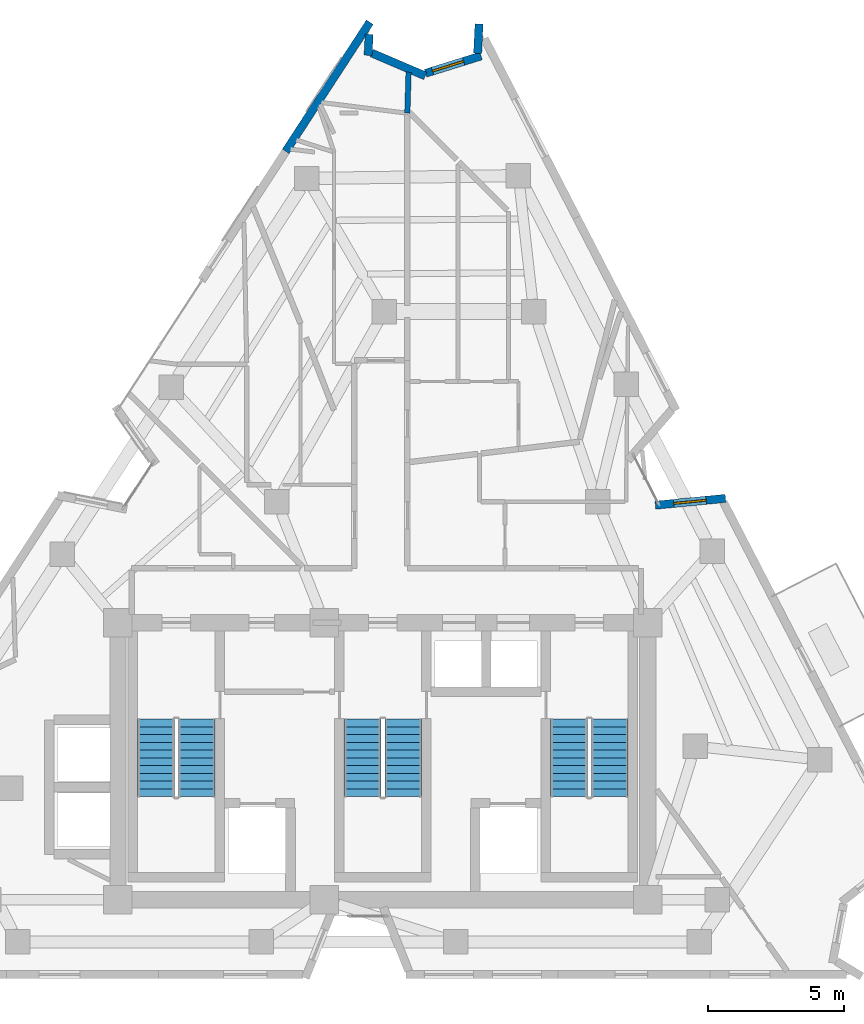
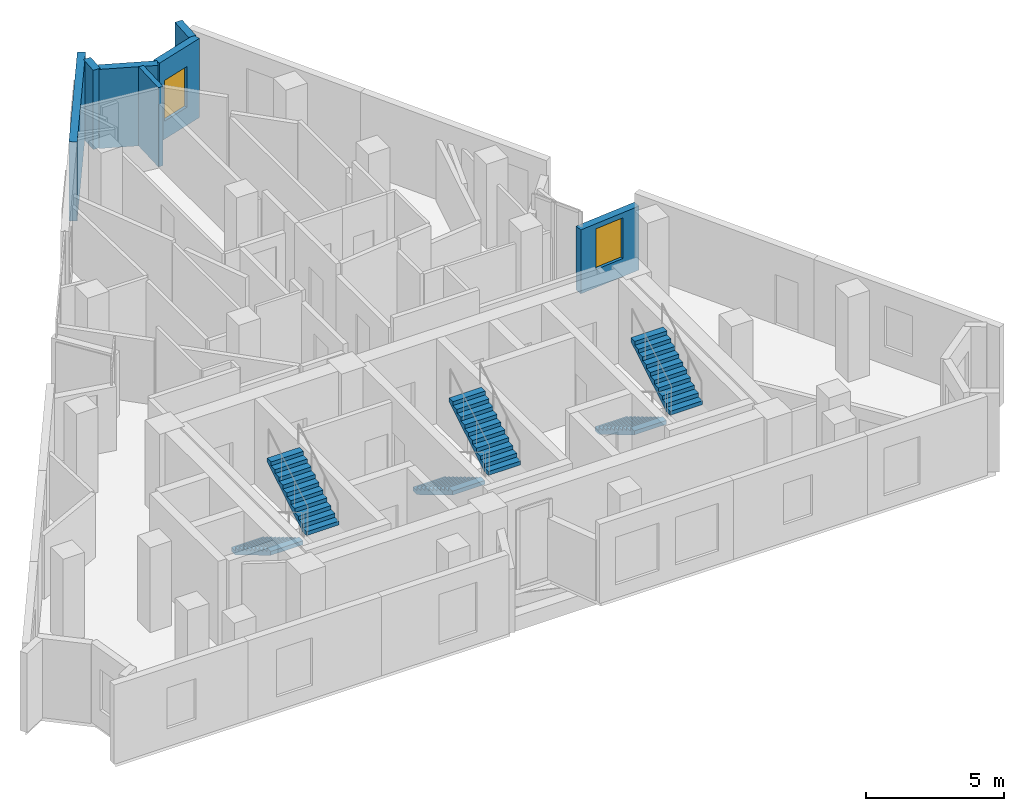
# One storey, part 8 of 10: 7 walls, 6 stair flights, 2 windows, 2 openings, 3 elements without a shape of their own.
"""IFC4 building model written with IfcOpenShell, lengths in metres."""

import ifcopenshell
import ifcopenshell.guid

model = None  # the IFC model being written
_history = None  # IfcOwnerHistory: only IFC2X3 demands one
_inside = {}  # id of a spatial element -> (the spatial element, [elements in it])
_under = {}  # id of a project, library or spatial element -> (it, [spatial elements below it])
_declared = {}  # id of a project -> (the project, [libraries it declares])
_typed = {}  # id of a type object -> (the type object, [elements of that type])
_made_of = {}  # id of a material, layer set ... -> (it, [elements and type objects made of it])


def new_model(schema):
    """Start an empty IFC model of exactly this schema.

    Asked for "IFC4X3", IfcOpenShell would pick the latest addendum, in which some entities
    have other attributes; the version numbers below select the first issue.
    IFC2X3 requires an IfcOwnerHistory on every rooted entity: one is made here for all.
    """
    global model, _history
    if schema == "IFC4X3":
        model = ifcopenshell.file(schema_version=(4, 3, 0, 0))
    else:
        model = ifcopenshell.file(schema=schema)
    _inside.clear()
    _under.clear()
    _declared.clear()
    _typed.clear()
    _made_of.clear()
    _history = None
    if model.schema == "IFC2X3":
        org = make("IfcOrganization", Name="unknown")
        user = make(
            "IfcPersonAndOrganization",
            ThePerson=make("IfcPerson", FamilyName="unknown"),
            TheOrganization=org,
        )
        app = make(
            "IfcApplication",
            ApplicationDeveloper=org,
            Version="unknown",
            ApplicationFullName="unknown",
            ApplicationIdentifier="unknown",
        )
        _history = make(
            "IfcOwnerHistory",
            OwningUser=user,
            OwningApplication=app,
            ChangeAction="ADDED",
            CreationDate=0,
        )
    return model


def make(cls, **values):
    """One entity of the class cls with the attributes given. An attribute that is None is left unset."""
    return model.create_entity(
        cls, **{name: value for name, value in values.items() if value is not None}
    )


def rooted(cls, **values):
    """An entity with a GlobalId (a new one), such as an element, a storey or a relation."""
    return make(cls, GlobalId=ifcopenshell.guid.new(), OwnerHistory=_history, **values)


def si_unit(unit_type, name, prefix=None):
    """IfcSIUnit, for example si_unit("LENGTHUNIT", "METRE", prefix="MILLI")."""
    return make("IfcSIUnit", UnitType=unit_type, Prefix=prefix, Name=name)


def assignment(units):
    """IfcUnitAssignment: the units of a project."""
    return None if units is None else make("IfcUnitAssignment", Units=units)


def point(xyz):
    """IfcCartesianPoint."""
    return None if xyz is None else make("IfcCartesianPoint", Coordinates=xyz)


def direction(xyz):
    """IfcDirection."""
    return None if xyz is None else make("IfcDirection", DirectionRatios=xyz)


def frame(location, z_axis=None, x_axis=None):
    """IfcAxis2Placement3D, a coordinate frame: its origin and axes. An axis left out is left unset."""
    return make(
        "IfcAxis2Placement3D",
        Location=point(location),
        Axis=direction(z_axis),
        RefDirection=direction(x_axis),
    )


def frame_2d(location, x_axis=None):
    """IfcAxis2Placement2D, a coordinate frame in the plane: its origin and x axis."""
    return make(
        "IfcAxis2Placement2D", Location=point(location), RefDirection=direction(x_axis)
    )


def origin():
    """The frame at (0, 0, 0) with its axes left unset."""
    return frame((0.0, 0.0, 0.0))


def place(relative_to, where):
    """IfcLocalPlacement: puts the frame where relative to a parent placement (None: the world)."""
    return make(
        "IfcLocalPlacement", PlacementRelTo=relative_to, RelativePlacement=where
    )


def context(
    kind, dimensions, precision=None, world=None, true_north=None, identifier=None
):
    """IfcGeometricRepresentationContext, for example the 3D "Model" context."""
    return make(
        "IfcGeometricRepresentationContext",
        ContextIdentifier=identifier,
        ContextType=kind,
        CoordinateSpaceDimension=dimensions,
        Precision=precision,
        WorldCoordinateSystem=world,
        TrueNorth=true_north,
    )


def subcontext(parent, identifier, kind, view, scale=None):
    """IfcGeometricRepresentationSubContext, for example "Body" below "Model"."""
    return make(
        "IfcGeometricRepresentationSubContext",
        ContextIdentifier=identifier,
        ContextType=kind,
        ParentContext=parent,
        TargetScale=scale,
        TargetView=view,
    )


def project(units=None, contexts=None):
    """IfcProject with its units and contexts."""
    return rooted(
        "IfcProject",
        Name="project",
        RepresentationContexts=contexts,
        UnitsInContext=assignment(units),
    )


def spatial(cls, under=None, at=None, **own):
    """A site, building, storey or space (cls), placed at a placement, below another one or the project."""
    s = rooted(cls, ObjectPlacement=at, **own)
    if under is not None:
        _under.setdefault(under.id(), (under, []))[1].append(s)
    return s


def polyline(points):
    """IfcPolyline through the points."""
    return make("IfcPolyline", Points=[point(p) for p in points])


def profile(cls, at=None, kind="AREA", **sizes):
    """A parametric profile (cls). Its sizes go by their IFC names, for example OverallWidth=200.0."""
    return make(cls, ProfileType=kind, Position=at, **sizes)


def rectangle(**sizes):
    """IfcRectangleProfileDef."""
    return profile("IfcRectangleProfileDef", **sizes)


def outline(outer, holes=None, kind="AREA"):
    """IfcArbitraryClosedProfileDef: a profile drawn as a closed curve; with holes, ...WithVoids."""
    if holes is None:
        return make("IfcArbitraryClosedProfileDef", ProfileType=kind, OuterCurve=outer)
    return make(
        "IfcArbitraryProfileDefWithVoids",
        ProfileType=kind,
        OuterCurve=outer,
        InnerCurves=holes,
    )


def extrude(swept, where, along, depth):
    """IfcExtrudedAreaSolid: the profile swept, set in the frame where, extruded along a direction by depth."""
    return make(
        "IfcExtrudedAreaSolid",
        SweptArea=swept,
        Position=where,
        ExtrudedDirection=direction(along),
        Depth=depth,
    )


def shape(context_of_items, identifier, shape_type, items):
    """IfcShapeRepresentation: the items that make up one representation, for example the "Body"."""
    return make(
        "IfcShapeRepresentation",
        ContextOfItems=context_of_items,
        RepresentationIdentifier=identifier,
        RepresentationType=shape_type,
        Items=items,
    )


def material(Name=None, Category=None):
    """IfcMaterial."""
    return make("IfcMaterial", Name=Name, Category=Category)


def layer(
    of_material, thickness, ventilated=None, Name=None, Category=None, Priority=None
):
    """IfcMaterialLayer: one layer of a wall or slab, of a material (None: an air gap)."""
    return make(
        "IfcMaterialLayer",
        Material=of_material,
        LayerThickness=thickness,
        IsVentilated=ventilated,
        Name=Name,
        Category=Category,
        Priority=Priority,
    )


def layer_set(layers, Name=None):
    """IfcMaterialLayerSet."""
    return make("IfcMaterialLayerSet", MaterialLayers=layers, LayerSetName=Name)


def made_of(thing, what):
    """Note that an element or type object is made of a material, layer set ...; save() writes the relation."""
    if what is not None:
        _made_of.setdefault(what.id(), (what, []))[1].append(thing)
    return thing


def type_object(cls, material=None, **own):
    """A type object (cls), such as IfcWallType, which elements share."""
    return made_of(rooted(cls, **own), material)


def element(
    cls,
    number,
    at=None,
    inside=None,
    cuts=None,
    type_object=None,
    material=None,
    context=None,
    identifier="Body",
    shape_type=None,
    held_by="IfcProductDefinitionShape",
    body=None,
    shapes=None,
    **own,
):
    """One element of the class cls, such as IfcWall. Its Tag is "e" and its number.

    at: its placement. inside: the storey or other place that contains it. cuts: it is an
    opening in that element (IfcRelVoidsElement). A single representation is given by context,
    identifier, shape_type and body (its items); several are given by shapes. held_by: the class
    of the entity that holds the representations. save() writes the other relations.
    """
    e = rooted(cls, Tag="e%d" % number, ObjectPlacement=at, **own)
    if body is not None:
        shapes = [shape(context, identifier, shape_type, body)]
    if shapes is not None:
        e.Representation = make(held_by, Representations=shapes)
    if inside is not None:
        _inside.setdefault(inside.id(), (inside, []))[1].append(e)
    if cuts is not None:
        rooted(
            "IfcRelVoidsElement", RelatingBuildingElement=cuts, RelatedOpeningElement=e
        )
    if type_object is not None:
        _typed.setdefault(type_object.id(), (type_object, []))[1].append(e)
    return made_of(e, material)


def fill(opening, filler):
    """IfcRelFillsElement: the door or window that sits in an opening."""
    return rooted(
        "IfcRelFillsElement",
        RelatingOpeningElement=opening,
        RelatedBuildingElement=filler,
    )


def aggregate(whole, parts):
    """IfcRelAggregates: a whole, such as a stair, and the parts it consists of."""
    return rooted("IfcRelAggregates", RelatingObject=whole, RelatedObjects=parts)


def save(model, path):
    """Write the relations noted so far, then the file.

    IfcRelAggregates (storeys below a building ...), IfcRelContainedInSpatialStructure (elements
    in a storey), IfcRelDefinesByType, IfcRelAssociatesMaterial and IfcRelDeclares: one each for
    every whole, place, type object, material and project.
    """
    for whole, parts in _under.values():
        aggregate(whole, parts)
    for where, things in _inside.values():
        rooted(
            "IfcRelContainedInSpatialStructure",
            RelatedElements=things,
            RelatingStructure=where,
        )
    for kind, things in _typed.values():
        rooted("IfcRelDefinesByType", RelatedObjects=things, RelatingType=kind)
    for what, things in _made_of.values():
        rooted("IfcRelAssociatesMaterial", RelatedObjects=things, RelatingMaterial=what)
    for by, libraries in _declared.values():
        rooted("IfcRelDeclares", RelatingContext=by, RelatedDefinitions=libraries)
    model.write(path)


model = new_model("IFC4")

# Units and contexts
model_context = context("Model", 3, precision=1e-05, world=origin(), true_north=direction((0.0, 1.0)))
body_context = subcontext(model_context, "Body", "Model", "MODEL_VIEW")
ifc_project = project(units=[si_unit("LENGTHUNIT", "METRE"), si_unit("AREAUNIT", "SQUARE_METRE"), si_unit("VOLUMEUNIT", "CUBIC_METRE"), si_unit("PLANEANGLEUNIT", "RADIAN"), si_unit("MASSUNIT", "GRAM", prefix="KILO")], contexts=[model_context])

# Site, building, storey
site_placement = place(None, origin())
site = spatial("IfcSite", under=ifc_project, at=site_placement, CompositionType="ELEMENT")
building_placement = place(site_placement, origin())
building = spatial("IfcBuilding", under=site, at=building_placement, Name="Almagre Mirador Tower", CompositionType="ELEMENT")
storey_placement = place(building_placement, frame((0.0, 0.0, 222.0)))
storey = spatial("IfcBuildingStorey", under=building, at=storey_placement, Name="L57", CompositionType="ELEMENT", Elevation=222.0)

# Walls
ifc_material_1 = material(Name="Precast concrete C50/60", Category="concrete")
ifc_layer_1 = layer(ifc_material_1, 0.300048828125)
ifc_layer_set_1 = layer_set([ifc_layer_1], Name="Precast concrete C50/60")
wall_type_1 = type_object("IfcWallType", Name="WAL-EXT-300", PredefinedType="SOLIDWALL", material=ifc_layer_set_1)
wall_1_placement = place(storey_placement, frame((33.724365234375, 32.095947265625, 0.0), z_axis=(0.0, 0.0, 1.0), x_axis=(0.545605666751, 0.838042037376, 0.0)))
element("IfcWall", 1, at=wall_1_placement, inside=storey, type_object=wall_type_1, Name="L57 expressed almagre precast frame wall 04", PredefinedType="SOLIDWALL", context=body_context, shape_type="SweptSolid", body=[
    extrude(rectangle(XDim=5.67041015625, YDim=0.300048828125, at=frame_2d((2.835205078125, 0.0))), origin(), (0.0, 0.0, 1.0), 3.5),
])
wall_2_placement = place(storey_placement, frame((36.79541015625, 36.403564453125, 0.0), z_axis=(0.0, 0.0, 1.0), x_axis=(-0.051005402626, -0.998698377341, 0.0)))
element("IfcWall", 2, at=wall_2_placement, inside=storey, type_object=wall_type_1, Name="L57 expressed almagre precast frame wall 05", PredefinedType="SOLIDWALL", context=body_context, shape_type="SweptSolid", body=[
    extrude(rectangle(XDim=0.775390625, YDim=0.300048828125, at=frame_2d((0.3876953125, 0.0))), origin(), (0.0, 0.0, 1.0), 3.5),
])
wall_3_placement = place(storey_placement, frame((36.88720703125, 35.7158203125, 0.0), z_axis=(0.0, 0.0, 1.0), x_axis=(0.919567916171, -0.392931097711, 0.0)))
element("IfcWall", 3, at=wall_3_placement, inside=storey, type_object=wall_type_1, Name="L57 expressed almagre precast frame wall 06", PredefinedType="SOLIDWALL", context=body_context, shape_type="SweptSolid", body=[
    extrude(rectangle(XDim=2.147216796875, YDim=0.300048828125, at=frame_2d((1.07373046875, 0.0))), origin(), (0.0, 0.0, 1.0), 3.5),
])

# Wall, opening, window
wall_4_placement = place(storey_placement, frame((38.873291015625, 34.970947265625, 0.0), z_axis=(0.0, 0.0, 1.0), x_axis=(0.954555183372, 0.298034229407, 0.0)))
wall_4 = element("IfcWall", 4, at=wall_4_placement, inside=storey, type_object=wall_type_1, Name="L57 expressed almagre precast frame wall 07", PredefinedType="SOLIDWALL", context=body_context, shape_type="SweptSolid", body=[
    extrude(rectangle(XDim=2.136474609375, YDim=0.300048828125, at=frame_2d((1.068359375, 0.0))), origin(), (0.0, 0.0, 1.0), 3.5),
])
opening_1_placement = place(wall_4_placement, frame((0.262939453125, 0.0, 0.800048828125)))
opening_1 = element("IfcOpeningElement", 5, at=opening_1_placement, cuts=wall_4, Name="Opening WN-04", PredefinedType="OPENING", context=body_context, shape_type="SweptSolid", body=[
    extrude(rectangle(XDim=1.199951171875, YDim=1.800048828125, at=frame_2d((0.60009765625, 0.89990234375))), frame((0.0, 0.159902, 0.0), z_axis=(0.0, -1.0, 0.0), x_axis=(1.0, 0.0, 0.0)), (0.0, 0.0, 1.0), 0.320049),
])
ifc_material_2 = material(Name="Dark solar-control laminated hurricane glass", Category="glass")
window_type = type_object("IfcWindowType", Name="WIN-1200X1800", PartitioningType="SINGLE_PANEL", PredefinedType="WINDOW", material=ifc_material_2)
window_1_placement = place(opening_1_placement, origin())
window_1 = element("IfcWindow", 6, at=window_1_placement, inside=storey, type_object=window_type, Name="L57 recessed hurricane window L57-RST-K", OverallHeight=1.800048828125, OverallWidth=1.199951171875, PartitioningType="SINGLE_PANEL", PredefinedType="WINDOW", context=body_context, shape_type="SweptSolid", body=[
    extrude(rectangle(XDim=1.199951171875, YDim=1.800048828125, at=frame_2d((0.60009765625, 0.89990234375))), frame((0.0, 0.030029296875, 0.0), z_axis=(0.0, -1.0, 0.0), x_axis=(1.0, 0.0, 0.0)), (0.0, 0.0, 1.0), 0.06005859375),
])
fill(opening_1, window_1)

# Wall
wall_5_placement = place(storey_placement, frame((40.78564453125, 35.700927734375, 0.0), z_axis=(0.0, 0.0, 1.0), x_axis=(0.05016199642, 0.998741094636, 0.0)))
element("IfcWall", 7, at=wall_5_placement, inside=storey, type_object=wall_type_1, Name="L57 expressed almagre precast frame wall 08", PredefinedType="SOLIDWALL", context=body_context, shape_type="SweptSolid", body=[
    extrude(rectangle(XDim=1.08544921875, YDim=0.300048828125, at=frame_2d((0.542724609375, 0.0))), origin(), (0.0, 0.0, 1.0), 3.5),
])

# Wall, opening, window
wall_6_placement = place(storey_placement, frame((47.32861328125, 19.072509765625, 0.0), z_axis=(0.0, 0.0, 1.0), x_axis=(0.995262869225, 0.097220476965, 0.0)))
wall_6 = element("IfcWall", 8, at=wall_6_placement, inside=storey, type_object=wall_type_1, Name="L57 expressed almagre precast frame wall 12", PredefinedType="SOLIDWALL", context=body_context, shape_type="SweptSolid", body=[
    extrude(rectangle(XDim=2.593994140625, YDim=0.300048828125, at=frame_2d((1.296875, 0.0))), origin(), (0.0, 0.0, 1.0), 2.824951171875),
])
opening_2_placement = place(wall_6_placement, frame((0.675048828125, 0.0, 0.800048828125)))
opening_2 = element("IfcOpeningElement", 9, at=opening_2_placement, cuts=wall_6, Name="Opening WN-04", PredefinedType="OPENING", context=body_context, shape_type="SweptSolid", body=[
    extrude(rectangle(XDim=1.199951171875, YDim=1.800048828125, at=frame_2d((0.60009765625, 0.89990234375))), frame((0.0, 0.159902, 0.0), z_axis=(0.0, -1.0, 0.0), x_axis=(1.0, 0.0, 0.0)), (0.0, 0.0, 1.0), 0.320049),
])
window_2_placement = place(opening_2_placement, origin())
window_2 = element("IfcWindow", 10, at=window_2_placement, inside=storey, type_object=window_type, Name="L57 recessed hurricane window L57-UF-ST", OverallHeight=1.800048828125, OverallWidth=1.199951171875, PartitioningType="SINGLE_PANEL", PredefinedType="WINDOW", context=body_context, shape_type="SweptSolid", body=[
    extrude(rectangle(XDim=1.199951171875, YDim=1.800048828125, at=frame_2d((0.60009765625, 0.89990234375))), frame((0.0, 0.030029296875, 0.0), z_axis=(0.0, -1.0, 0.0), x_axis=(1.0, 0.0, 0.0)), (0.0, 0.0, 1.0), 0.06005859375),
])
fill(opening_2, window_2)

# Wall
ifc_material_3 = material(Name="Gypsum acoustic stud partition", Category="other")
ifc_layer_2 = layer(ifc_material_3, 0.199951171875)
ifc_layer_set_2 = layer_set([ifc_layer_2], Name="Gypsum acoustic stud partition")
wall_type_2 = type_object("IfcWallType", Name="WAL-PRT-200-EI60", PredefinedType="PARTITIONING", material=ifc_layer_set_2)
wall_7_placement = place(storey_placement, frame((38.199951171875, 33.5, 0.0), z_axis=(0.0, 0.0, 1.0), x_axis=(0.030602863549, 0.999531622683, 0.0)))
element("IfcWall", 11, at=wall_7_placement, inside=storey, type_object=wall_type_2, Name="L57 interior partition 069", PredefinedType="PARTITIONING", context=body_context, shape_type="SweptSolid", body=[
    extrude(rectangle(XDim=1.5078125, YDim=0.199951171875, at=frame_2d((0.75390625, 0.0))), origin(), (0.0, 0.0, 1.0), 3.5),
])

# Stair, stair flights
ifc_material_4 = material(Name="Concrete C45/55", Category="concrete")
stair_type = type_object("IfcStairType", Name="STR-DL-3750", PredefinedType="HALF_TURN_STAIR", material=ifc_material_4)
stair_1_placement = place(storey_placement, origin())
stair_1 = element("IfcStair", 12, at=stair_1_placement, inside=storey, type_object=stair_type, Name="L57 Protected exit stair ST-1", PredefinedType="HALF_TURN_STAIR")
ifc_material_5 = material(Name="Concrete C45/55", Category="concrete")
stair_flight_type = type_object("IfcStairFlightType", Name="FLT-DL-3750", PredefinedType="STRAIGHT", material=ifc_material_5)
stair_flight_1_placement = place(storey_placement, frame((28.949951171875, 11.199951171875, 0.0), z_axis=(0.0, 0.0, 1.0), x_axis=(0.0, -1.0, 0.0)))
stair_flight_1 = element("IfcStairFlight", 13, at=stair_flight_1_placement, type_object=stair_flight_type, Name="ST-1 flight 1", NumberOfRisers=11, NumberOfTreads=10, PredefinedType="STRAIGHT", RiserHeight=0.170454545, TreadLength=0.285, context=body_context, shape_type="SweptSolid", body=[
    extrude(outline(polyline([(0.0, 0.0), (0.0, 0.17041015625), (0.284912109375, 0.17041015625), (0.284912109375, 0.3408203125), (0.570068359375, 0.3408203125), (0.570068359375, 0.511474609375), (0.85498046875, 0.511474609375), (0.85498046875, 0.681884765625), (1.139892578125, 0.681884765625), (1.139892578125, 0.852294921875), (1.425048828125, 0.852294921875), (1.425048828125, 1.022705078125), (1.7099609375, 1.022705078125), (1.7099609375, 1.193115234375), (1.9951171875, 1.193115234375), (1.9951171875, 1.363525390625), (2.280029296875, 1.363525390625), (2.280029296875, 1.5341796875), (2.56494140625, 1.5341796875), (2.56494140625, 1.70458984375), (2.85009765625, 1.70458984375), (2.85009765625, 1.875), (2.85009765625, 1.52978515625), (0.2919921875, 0.0), (0.0, 0.0)])), frame((0.0, 0.675048828125, 0.0), z_axis=(0.0, -1.0, 0.0), x_axis=(1.0, 0.0, 0.0)), (0.0, 0.0, 1.0), 1.35009765625),
])
stair_flight_2_placement = place(storey_placement, frame((30.449951171875, 8.35009765625, 1.875), z_axis=(0.0, 0.0, 1.0), x_axis=(0.0, 1.0, 0.0)))
stair_flight_2 = element("IfcStairFlight", 14, at=stair_flight_2_placement, type_object=stair_flight_type, Name="ST-1 flight 2", NumberOfRisers=11, NumberOfTreads=10, PredefinedType="STRAIGHT", RiserHeight=0.170454545, TreadLength=0.285, context=body_context, shape_type="SweptSolid", body=[
    extrude(outline(polyline([(0.0, 0.0), (0.0, 0.17041015625), (0.284912109375, 0.17041015625), (0.284912109375, 0.3408203125), (0.570068359375, 0.3408203125), (0.570068359375, 0.511474609375), (0.85498046875, 0.511474609375), (0.85498046875, 0.681884765625), (1.139892578125, 0.681884765625), (1.139892578125, 0.852294921875), (1.425048828125, 0.852294921875), (1.425048828125, 1.022705078125), (1.7099609375, 1.022705078125), (1.7099609375, 1.193115234375), (1.9951171875, 1.193115234375), (1.9951171875, 1.363525390625), (2.280029296875, 1.363525390625), (2.280029296875, 1.5341796875), (2.56494140625, 1.5341796875), (2.56494140625, 1.70458984375), (2.85009765625, 1.70458984375), (2.85009765625, 1.875), (2.85009765625, 1.52978515625), (0.2919921875, 0.0), (0.0, 0.0)])), frame((0.0, 0.675048828125, 0.0), z_axis=(0.0, -1.0, 0.0), x_axis=(1.0, 0.0, 0.0)), (0.0, 0.0, 1.0), 1.35009765625),
])
aggregate(stair_1, [stair_flight_1, stair_flight_2])

stair_2_placement = place(storey_placement, origin())
stair_2 = element("IfcStair", 15, at=stair_2_placement, inside=storey, type_object=stair_type, Name="L57 Protected exit stair ST-2", PredefinedType="HALF_TURN_STAIR")
stair_flight_3_placement = place(storey_placement, frame((36.550048828125, 11.199951171875, 0.0), z_axis=(0.0, 0.0, 1.0), x_axis=(0.0, -1.0, 0.0)))
stair_flight_3 = element("IfcStairFlight", 16, at=stair_flight_3_placement, type_object=stair_flight_type, Name="ST-2 flight 1", NumberOfRisers=11, NumberOfTreads=10, PredefinedType="STRAIGHT", RiserHeight=0.170454545, TreadLength=0.285, context=body_context, shape_type="SweptSolid", body=[
    extrude(outline(polyline([(0.0, 0.0), (0.0, 0.17041015625), (0.284912109375, 0.17041015625), (0.284912109375, 0.3408203125), (0.570068359375, 0.3408203125), (0.570068359375, 0.511474609375), (0.85498046875, 0.511474609375), (0.85498046875, 0.681884765625), (1.139892578125, 0.681884765625), (1.139892578125, 0.852294921875), (1.425048828125, 0.852294921875), (1.425048828125, 1.022705078125), (1.7099609375, 1.022705078125), (1.7099609375, 1.193115234375), (1.9951171875, 1.193115234375), (1.9951171875, 1.363525390625), (2.280029296875, 1.363525390625), (2.280029296875, 1.5341796875), (2.56494140625, 1.5341796875), (2.56494140625, 1.70458984375), (2.85009765625, 1.70458984375), (2.85009765625, 1.875), (2.85009765625, 1.52978515625), (0.2919921875, 0.0), (0.0, 0.0)])), frame((0.0, 0.675048828125, 0.0), z_axis=(0.0, -1.0, 0.0), x_axis=(1.0, 0.0, 0.0)), (0.0, 0.0, 1.0), 1.35009765625),
])
stair_flight_4_placement = place(storey_placement, frame((38.050048828125, 8.35009765625, 1.875), z_axis=(0.0, 0.0, 1.0), x_axis=(0.0, 1.0, 0.0)))
stair_flight_4 = element("IfcStairFlight", 17, at=stair_flight_4_placement, type_object=stair_flight_type, Name="ST-2 flight 2", NumberOfRisers=11, NumberOfTreads=10, PredefinedType="STRAIGHT", RiserHeight=0.170454545, TreadLength=0.285, context=body_context, shape_type="SweptSolid", body=[
    extrude(outline(polyline([(0.0, 0.0), (0.0, 0.17041015625), (0.284912109375, 0.17041015625), (0.284912109375, 0.3408203125), (0.570068359375, 0.3408203125), (0.570068359375, 0.511474609375), (0.85498046875, 0.511474609375), (0.85498046875, 0.681884765625), (1.139892578125, 0.681884765625), (1.139892578125, 0.852294921875), (1.425048828125, 0.852294921875), (1.425048828125, 1.022705078125), (1.7099609375, 1.022705078125), (1.7099609375, 1.193115234375), (1.9951171875, 1.193115234375), (1.9951171875, 1.363525390625), (2.280029296875, 1.363525390625), (2.280029296875, 1.5341796875), (2.56494140625, 1.5341796875), (2.56494140625, 1.70458984375), (2.85009765625, 1.70458984375), (2.85009765625, 1.875), (2.85009765625, 1.52978515625), (0.2919921875, 0.0), (0.0, 0.0)])), frame((0.0, 0.675048828125, 0.0), z_axis=(0.0, -1.0, 0.0), x_axis=(1.0, 0.0, 0.0)), (0.0, 0.0, 1.0), 1.35009765625),
])
aggregate(stair_2, [stair_flight_3, stair_flight_4])

stair_3_placement = place(storey_placement, origin())
stair_3 = element("IfcStair", 18, at=stair_3_placement, inside=storey, type_object=stair_type, Name="L57 Protected exit stair ST-3", PredefinedType="HALF_TURN_STAIR")
stair_flight_5_placement = place(storey_placement, frame((44.14990234375, 11.199951171875, 0.0), z_axis=(0.0, 0.0, 1.0), x_axis=(0.0, -1.0, 0.0)))
stair_flight_5 = element("IfcStairFlight", 19, at=stair_flight_5_placement, type_object=stair_flight_type, Name="ST-3 flight 1", NumberOfRisers=11, NumberOfTreads=10, PredefinedType="STRAIGHT", RiserHeight=0.170454545, TreadLength=0.285, context=body_context, shape_type="SweptSolid", body=[
    extrude(outline(polyline([(0.0, 0.0), (0.0, 0.17041015625), (0.284912109375, 0.17041015625), (0.284912109375, 0.3408203125), (0.570068359375, 0.3408203125), (0.570068359375, 0.511474609375), (0.85498046875, 0.511474609375), (0.85498046875, 0.681884765625), (1.139892578125, 0.681884765625), (1.139892578125, 0.852294921875), (1.425048828125, 0.852294921875), (1.425048828125, 1.022705078125), (1.7099609375, 1.022705078125), (1.7099609375, 1.193115234375), (1.9951171875, 1.193115234375), (1.9951171875, 1.363525390625), (2.280029296875, 1.363525390625), (2.280029296875, 1.5341796875), (2.56494140625, 1.5341796875), (2.56494140625, 1.70458984375), (2.85009765625, 1.70458984375), (2.85009765625, 1.875), (2.85009765625, 1.52978515625), (0.2919921875, 0.0), (0.0, 0.0)])), frame((0.0, 0.675048828125, 0.0), z_axis=(0.0, -1.0, 0.0), x_axis=(1.0, 0.0, 0.0)), (0.0, 0.0, 1.0), 1.35009765625),
])
stair_flight_6_placement = place(storey_placement, frame((45.64990234375, 8.35009765625, 1.875), z_axis=(0.0, 0.0, 1.0), x_axis=(0.0, 1.0, 0.0)))
stair_flight_6 = element("IfcStairFlight", 20, at=stair_flight_6_placement, type_object=stair_flight_type, Name="ST-3 flight 2", NumberOfRisers=11, NumberOfTreads=10, PredefinedType="STRAIGHT", RiserHeight=0.170454545, TreadLength=0.285, context=body_context, shape_type="SweptSolid", body=[
    extrude(outline(polyline([(0.0, 0.0), (0.0, 0.17041015625), (0.284912109375, 0.17041015625), (0.284912109375, 0.3408203125), (0.570068359375, 0.3408203125), (0.570068359375, 0.511474609375), (0.85498046875, 0.511474609375), (0.85498046875, 0.681884765625), (1.139892578125, 0.681884765625), (1.139892578125, 0.852294921875), (1.425048828125, 0.852294921875), (1.425048828125, 1.022705078125), (1.7099609375, 1.022705078125), (1.7099609375, 1.193115234375), (1.9951171875, 1.193115234375), (1.9951171875, 1.363525390625), (2.280029296875, 1.363525390625), (2.280029296875, 1.5341796875), (2.56494140625, 1.5341796875), (2.56494140625, 1.70458984375), (2.85009765625, 1.70458984375), (2.85009765625, 1.875), (2.85009765625, 1.52978515625), (0.2919921875, 0.0), (0.0, 0.0)])), frame((0.0, 0.675048828125, 0.0), z_axis=(0.0, -1.0, 0.0), x_axis=(1.0, 0.0, 0.0)), (0.0, 0.0, 1.0), 1.35009765625),
])
aggregate(stair_3, [stair_flight_5, stair_flight_6])

save(model, "model.ifc")
